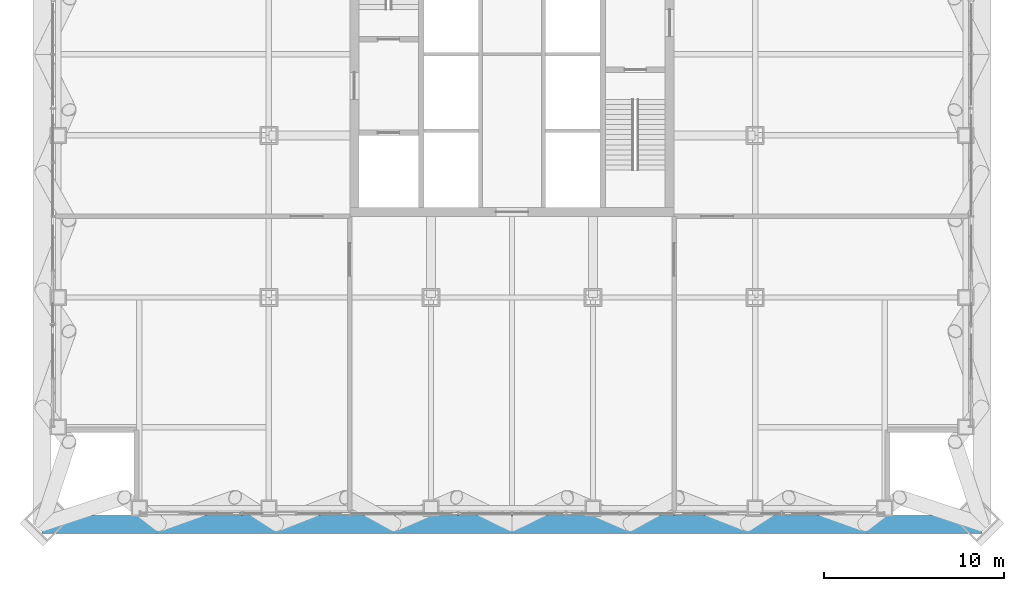
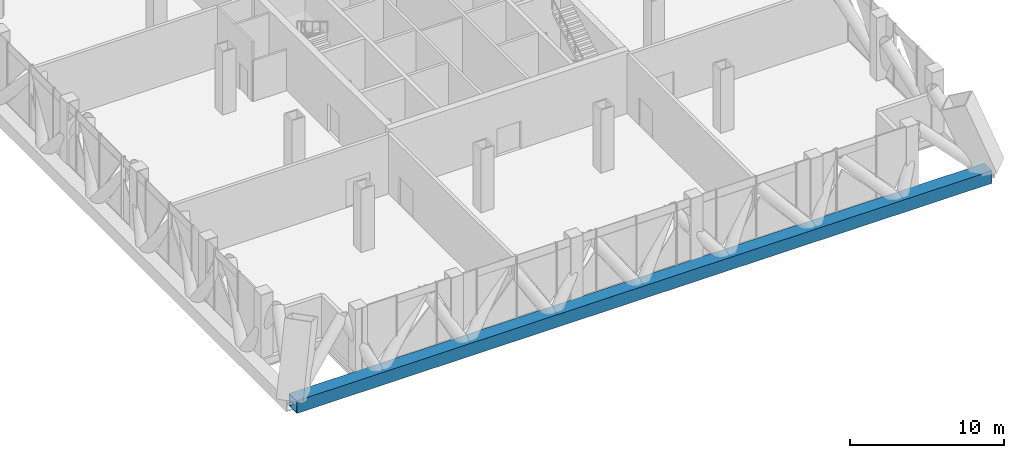
# One storey, part 3 of 26: 1 member.
"""IFC4 building model written with IfcOpenShell, lengths in metres."""

from ifc_helpers import new_model, si_unit, direction, frame, origin, origin_2d, place, context, subcontext, project, spatial, hollow_rectangle, extrude, material, material_profile, profile_set, type_object, element, save


model = new_model("IFC4")

# Units and contexts
model_context = context("Model", 3, precision=1e-05, world=origin(), true_north=direction((0.0, 1.0)))
body_context = subcontext(model_context, "Body", "Model", "MODEL_VIEW")
ifc_project = project(units=[si_unit("LENGTHUNIT", "METRE"), si_unit("AREAUNIT", "SQUARE_METRE"), si_unit("VOLUMEUNIT", "CUBIC_METRE"), si_unit("PLANEANGLEUNIT", "RADIAN"), si_unit("MASSUNIT", "GRAM", prefix="KILO")], contexts=[model_context])

# Site, building, storey
site_placement = place(None, origin())
site = spatial("IfcSite", under=ifc_project, at=site_placement, CompositionType="ELEMENT")
building_placement = place(site_placement, origin())
building = spatial("IfcBuilding", under=site, at=building_placement, Name="Malebo Sky Hospital", CompositionType="ELEMENT")
storey_placement = place(building_placement, frame((0.0, 0.0, 95.0)))
storey = spatial("IfcBuildingStorey", under=building, at=storey_placement, Name="L22", CompositionType="ELEMENT", Elevation=95.0)

# Member
ifc_material = material(Name="Steel S460", Category="steel")
ifc_material_profile = material_profile(ifc_material, hollow_rectangle(XDim=1.0, YDim=1.0, WallThickness=0.06005859375, at=origin_2d()), Name="BOX 1000x1000x60")
ifc_profile_set = profile_set([ifc_material_profile], Name="Steel S460")
member_type = type_object("IfcMemberType", Name="MEGA TIE BOX 1000x1000x60", PredefinedType="CHORD", material=ifc_profile_set)
member_placement = place(storey_placement, frame((33.89990234375, 35.89990234375, -0.39990234375), z_axis=(1.0, 0.0, 0.0), x_axis=(0.0, 1.0, 0.0)))
element("IfcMember", 1, at=member_placement, inside=storey, type_object=member_type, Name="Mega tie AS L22", PredefinedType="CHORD", context=body_context, shape_type="SweptSolid", body=[
    extrude(hollow_rectangle(XDim=1.0, YDim=1.0, WallThickness=0.06005859375, at=origin_2d()), origin(), (0.0, 0.0, 1.0), 52.2001953125),
])

save(model, "model.ifc")
